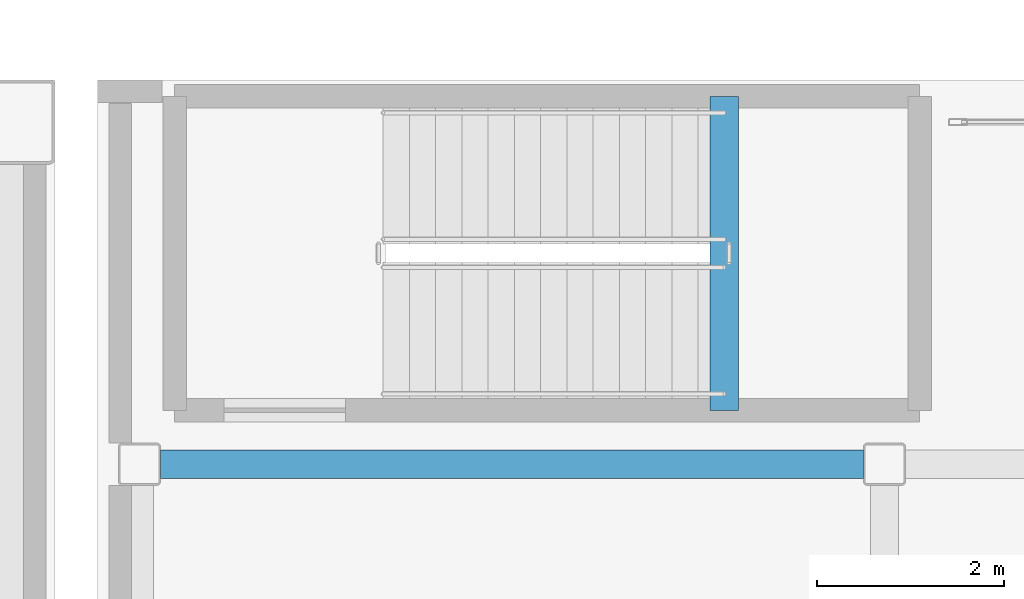
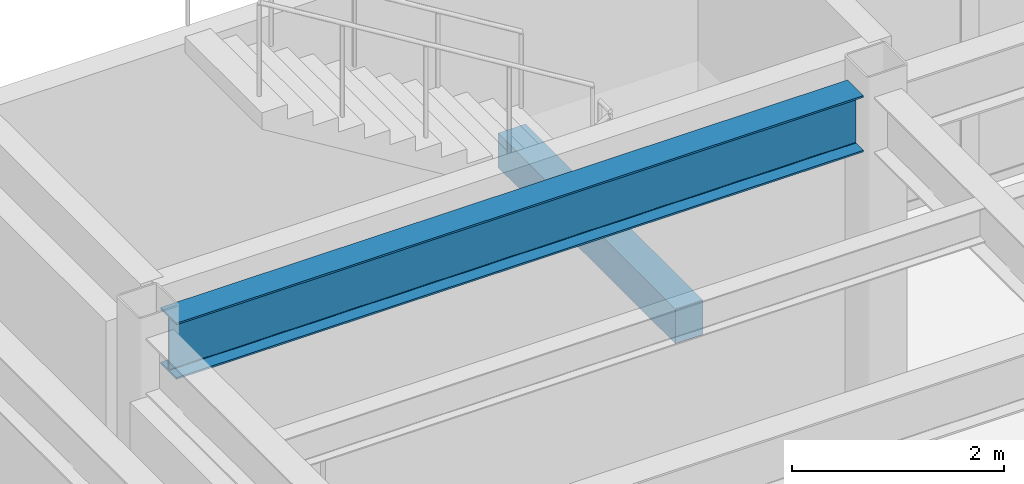
# One storey, part 74 of 172: 2 beams.
"""IFC4 building model written with IfcOpenShell, lengths in metres."""

from ifc_helpers import new_model, si_unit, direction, frame, origin, origin_2d, place, context, subcontext, project, spatial, rectangle, i_section, extrude, material, material_profile, profile_set, type_object, element, save


model = new_model("IFC4")

# Units and contexts
model_context = context("Model", 3, precision=1e-05, world=origin(), true_north=direction((0.0, 1.0)))
body_context = subcontext(model_context, "Body", "Model", "MODEL_VIEW")
ifc_project = project(units=[si_unit("LENGTHUNIT", "METRE"), si_unit("AREAUNIT", "SQUARE_METRE"), si_unit("VOLUMEUNIT", "CUBIC_METRE"), si_unit("PLANEANGLEUNIT", "RADIAN"), si_unit("MASSUNIT", "GRAM", prefix="KILO")], contexts=[model_context])

# Site, building, storey
site_placement = place(None, origin())
site = spatial("IfcSite", under=ifc_project, at=site_placement, CompositionType="ELEMENT")
building_placement = place(site_placement, origin())
building = spatial("IfcBuilding", under=site, at=building_placement, Name="Kazehara Bluff Congress Hotel", CompositionType="ELEMENT")
storey_placement = place(building_placement, frame((0.0, 0.0, 5.39990234375)))
storey = spatial("IfcBuildingStorey", under=building, at=storey_placement, Name="L01", CompositionType="ELEMENT", Elevation=5.39990234375)

# Beams
ifc_material_1 = material(Name="Steel SN490B", Category="steel")
ifc_material_profile_1 = material_profile(ifc_material_1, i_section(OverallWidth=0.300048828125, OverallDepth=0.64990234375, WebThickness=0.011962890625, FlangeThickness=0.02001953125, FilletRadius=0.012939453125, at=origin_2d()))
ifc_profile_set_1 = profile_set([ifc_material_profile_1], Name="Steel SN490B")
beam_type_1 = type_object("IfcBeamType", Name="TP-G-03", PredefinedType="BEAM", material=ifc_profile_set_1)
beam_1_placement = place(storey_placement, frame((59.925048828125, 109.89990234375, 4.22509765625), z_axis=(1.0, 0.0, 0.0), x_axis=(0.0, 1.0, 0.0)))
element("IfcBeam", 1, at=beam_1_placement, inside=storey, type_object=beam_type_1, Name="L01 girder G-03 143", PredefinedType="BEAM", context=body_context, shape_type="SweptSolid", body=[
    extrude(i_section(OverallWidth=0.300048828125, OverallDepth=0.64990234375, WebThickness=0.011962890625, FlangeThickness=0.02001953125, FilletRadius=0.012939453125, at=origin_2d()), origin(), (0.0, 0.0, 1.0), 7.5),
])
ifc_material_2 = material(Name="Concrete C40/50", Category="concrete")
ifc_material_profile_2 = material_profile(ifc_material_2, rectangle(XDim=0.300048828125, YDim=0.39990234375, at=origin_2d()))
ifc_profile_set_2 = profile_set([ifc_material_profile_2], Name="Concrete C40/50")
beam_type_2 = type_object("IfcBeamType", Name="TP-LN-02", PredefinedType="LINTEL", material=ifc_profile_set_2)
beam_2_placement = place(storey_placement, frame((65.93994140625, 110.47509765625, 2.02001953125), z_axis=(0.0, 1.0, 0.0), x_axis=(-1.0, 0.0, 0.0)))
element("IfcBeam", 2, at=beam_2_placement, inside=storey, type_object=beam_type_2, Name="L01 ST-06 half-landing support beam 1", PredefinedType="LINTEL", context=body_context, shape_type="SweptSolid", body=[
    extrude(rectangle(XDim=0.300048828125, YDim=0.39990234375, at=origin_2d()), origin(), (0.0, 0.0, 1.0), 3.349853515625),
])

save(model, "model.ifc")
